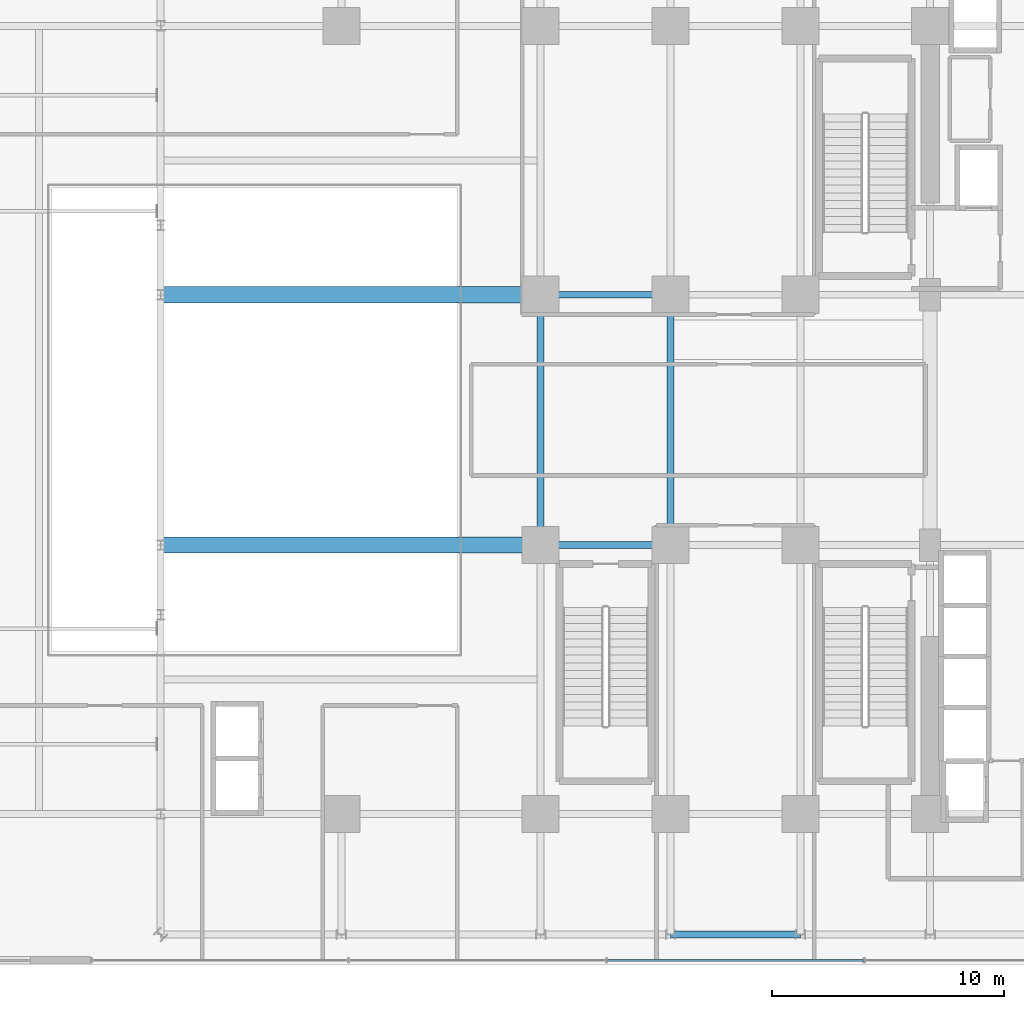
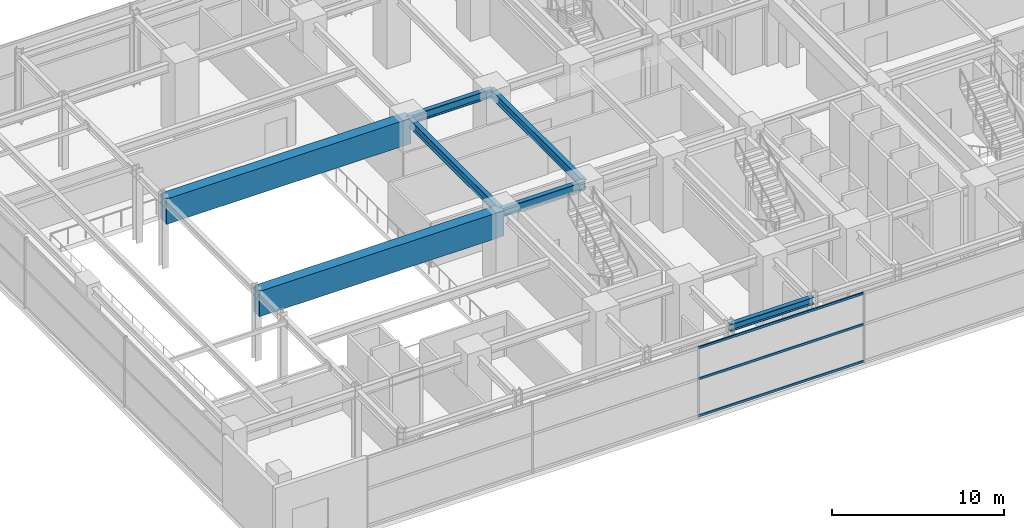
# One storey, part 11 of 35: 7 beams, 3 members, 1 element without a shape of its own.
"""IFC4 building model written with IfcOpenShell, lengths in metres."""

from ifc_helpers import new_model, si_unit, direction, frame, origin, origin_2d, place, context, subcontext, project, spatial, rectangle, hollow_rectangle, i_section, extrude, source, transform, mapped, material, material_profile, profile_set, type_object, element, aggregate, save


model = new_model("IFC4")

# Units and contexts
model_context = context("Model", 3, precision=1e-05, world=origin(), true_north=direction((0.0, 1.0)))
body_context = subcontext(model_context, "Body", "Model", "MODEL_VIEW")
ifc_project = project(units=[si_unit("LENGTHUNIT", "METRE"), si_unit("AREAUNIT", "SQUARE_METRE"), si_unit("VOLUMEUNIT", "CUBIC_METRE"), si_unit("PLANEANGLEUNIT", "RADIAN"), si_unit("MASSUNIT", "GRAM", prefix="KILO")], contexts=[model_context])

# Site, building, storey
site_placement = place(None, origin())
site = spatial("IfcSite", under=ifc_project, at=site_placement, CompositionType="ELEMENT")
building_placement = place(site_placement, origin())
building = spatial("IfcBuilding", under=site, at=building_placement, Name="Nahalor Promenade Grand Hotel", CompositionType="ELEMENT")
storey_placement = place(building_placement, frame((0.0, 0.0, 21.60009765625)))
storey = spatial("IfcBuildingStorey", under=building, at=storey_placement, Name="L04", CompositionType="ELEMENT", Elevation=21.60009765625)

# Beams
ifc_material_1 = material(Name="Steel S355JR", Category="steel")
ifc_material_profile_1 = material_profile(ifc_material_1, i_section(OverallWidth=0.3, OverallDepth=0.6, WebThickness=0.0155, FlangeThickness=0.03, at=origin_2d()), Name="HEB 600")
ifc_profile_set_1 = profile_set([ifc_material_profile_1], Name="Steel S355JR")
beam_type_1 = type_object("IfcBeamType", Name="Beam-Girder-HEB600", PredefinedType="BEAM", material=ifc_profile_set_1)
shared_shape_1 = source(origin(), body_context, "Body", "SweptSolid", [
    extrude(i_section(OverallWidth=0.3, OverallDepth=0.6, WebThickness=0.0155, FlangeThickness=0.03, at=origin_2d()), origin(), (0.0, 0.0, 1.0), 5.599853515625),
])
for number, where, z_axis, x_axis, name in (
    (1, (-8.39990234375, -5.39990234375, 4.679931640625), (1.0, 0.0, 0.0), (0.0, 1.0, 0.0), "BM-L04-GX-1-2"),
    (2, (-8.39990234375, 5.39990234375, 4.679931640625), (1.0, 0.0, 0.0), (0.0, 1.0, 0.0), "BM-L04-GX-2-2"),
):
    element("IfcBeam", number, at=place(storey_placement, frame(where, z_axis=z_axis, x_axis=x_axis)), inside=storey, type_object=beam_type_1, Name=name, PredefinedType="BEAM", context=body_context, shape_type="MappedRepresentation", body=[
        mapped(shared_shape_1, transform((0.0, 0.0, 0.0), scale=1.0)),
    ])
shared_shape_2 = source(origin(), body_context, "Body", "SweptSolid", [
    extrude(i_section(OverallWidth=0.3, OverallDepth=0.6, WebThickness=0.0155, FlangeThickness=0.03, at=origin_2d()), origin(), (0.0, 0.0, 1.0), 10.7998046875),
])
for number, where, z_axis, x_axis, name in (
    (3, (-8.39990234375, -5.39990234375, 4.679931640625), (0.0, 1.0, 0.0), (-1.0, 0.0, 0.0), "BM-L04-GY-1-2"),
    (4, (-2.800048828125, -5.39990234375, 4.679931640625), (0.0, 1.0, 0.0), (-1.0, 0.0, 0.0), "BM-L04-GY-2-2"),
):
    element("IfcBeam", number, at=place(storey_placement, frame(where, z_axis=z_axis, x_axis=x_axis)), inside=storey, type_object=beam_type_1, Name=name, PredefinedType="BEAM", context=body_context, shape_type="MappedRepresentation", body=[
        mapped(shared_shape_2, transform((0.0, 0.0, 0.0), scale=1.0)),
    ])
ifc_material_profile_2 = material_profile(ifc_material_1, i_section(OverallWidth=0.3, OverallDepth=0.5, WebThickness=0.0145, FlangeThickness=0.028, at=origin_2d()), Name="HEB 500")
ifc_profile_set_2 = profile_set([ifc_material_profile_2], Name="Steel S355JR")
beam_type_2 = type_object("IfcBeamType", Name="Beam-Spandrel-HEB500", PredefinedType="SPANDREL", material=ifc_profile_set_2)
shared_shape_3 = source(origin(), body_context, "Body", "SweptSolid", [
    extrude(i_section(OverallWidth=0.3, OverallDepth=0.5, WebThickness=0.0145, FlangeThickness=0.028, at=origin_2d()), origin(), (0.0, 0.0, 1.0), 5.60009765625),
])
beam_placement = place(storey_placement, frame((-2.800048828125, -22.199951171875, 4.72998046875), z_axis=(1.0, 0.0, 0.0), x_axis=(0.0, 1.0, 0.0)))
element("IfcBeam", 5, at=beam_placement, inside=storey, type_object=beam_type_2, Name="BM-L04-SP-S-2", PredefinedType="SPANDREL", context=body_context, shape_type="MappedRepresentation", body=[
    mapped(shared_shape_3, transform((0.0, 0.0, 0.0), scale=1.0)),
])
ifc_material_2 = material(Name="Concrete B-60 (C50/60)", Category="concrete")
ifc_material_profile_3 = material_profile(ifc_material_2, rectangle(XDim=0.7, YDim=1.8, at=origin_2d()), Name="RC 700x1800")
ifc_profile_set_3 = profile_set([ifc_material_profile_3], Name="Concrete B-60 (C50/60)")
beam_type_3 = type_object("IfcBeamType", Name="Beam-Transfer-RC1800", PredefinedType="BEAM", material=ifc_profile_set_3)
shared_shape_4 = source(origin(), body_context, "Body", "SweptSolid", [
    extrude(rectangle(XDim=0.7, YDim=1.8, at=origin_2d()), origin(), (0.0, 0.0, 1.0), 16.400146484375),
])
for number, where, z_axis, x_axis, name in (
    (6, (-24.800048828125, -5.39990234375, 4.079833984375), (1.0, 0.0, 0.0), (0.0, 1.0, 0.0), "BM-L04-TRG-W--5"),
    (7, (-24.800048828125, 5.39990234375, 4.079833984375), (1.0, 0.0, 0.0), (0.0, 1.0, 0.0), "BM-L04-TRG-W-+5"),
):
    element("IfcBeam", number, at=place(storey_placement, frame(where, z_axis=z_axis, x_axis=x_axis)), inside=storey, type_object=beam_type_3, Name=name, PredefinedType="BEAM", context=body_context, shape_type="MappedRepresentation", body=[
        mapped(shared_shape_4, transform((0.0, 0.0, 0.0), scale=1.0)),
    ])

# Curtain wall, members
ifc_material_3 = material(Name="Anodised Bronze Aluminium EN AW-6063 T6", Category="aluminium")
curtain_wall_type = type_object("IfcCurtainWallType", Name="CW1 Waterfront Podium Bronze Arcade Curtain Wall", PredefinedType="USERDEFINED", material=ifc_material_3)
curtain_wall_placement = place(storey_placement, origin())
curtain_wall = element("IfcCurtainWall", 8, at=curtain_wall_placement, inside=storey, type_object=curtain_wall_type, Name="L04 Curtain Wall CW-L04-S", ObjectType="UNITISED_CURTAIN_WALL", PredefinedType="USERDEFINED")
ifc_material_profile_4 = material_profile(ifc_material_3, hollow_rectangle(XDim=0.08, YDim=0.16, WallThickness=0.004, at=origin_2d()), Name="CWT 80x160x4")
ifc_profile_set_4 = profile_set([ifc_material_profile_4], Name="Anodised Bronze Aluminium EN AW-6063 T6")
member_type = type_object("IfcMemberType", Name="CWT1 Podium Bronze Transom 80x160", PredefinedType="USERDEFINED", material=ifc_profile_set_4)
shared_shape_5 = source(origin(), body_context, "Body", "SweptSolid", [
    extrude(hollow_rectangle(XDim=0.08, YDim=0.16, WallThickness=0.004, at=origin_2d()), origin(), (0.0, 0.0, 1.0), 11.0478515625),
])
member_1_placement = place(storey_placement, frame((-5.52392578125, -23.320068359375, 0.079833984375), z_axis=(1.0, 0.0, 0.0), x_axis=(0.0, 1.0, 0.0)))
member_1 = element("IfcMember", 9, at=member_1_placement, type_object=member_type, Name="CW-L04-S Transom 2-0", ObjectType="TRANSOM", PredefinedType="USERDEFINED", context=body_context, shape_type="MappedRepresentation", body=[
    mapped(shared_shape_5, transform((0.0, 0.0, 0.0), scale=1.0)),
])
member_2_placement = place(storey_placement, frame((-5.52392578125, -23.320068359375, 2.699951171875), z_axis=(1.0, 0.0, 0.0), x_axis=(0.0, 1.0, 0.0)))
member_2 = element("IfcMember", 10, at=member_2_placement, type_object=member_type, Name="CW-L04-S Transom 2-1", ObjectType="TRANSOM", PredefinedType="USERDEFINED", context=body_context, shape_type="MappedRepresentation", body=[
    mapped(shared_shape_5, transform((0.0, 0.0, 0.0), scale=1.0)),
])
member_3_placement = place(storey_placement, frame((-5.52392578125, -23.320068359375, 4.89990234375), z_axis=(1.0, 0.0, 0.0), x_axis=(0.0, 1.0, 0.0)))
member_3 = element("IfcMember", 11, at=member_3_placement, type_object=member_type, Name="CW-L04-S Transom 2-2", ObjectType="TRANSOM", PredefinedType="USERDEFINED", context=body_context, shape_type="MappedRepresentation", body=[
    mapped(shared_shape_5, transform((0.0, 0.0, 0.0), scale=1.0)),
])
aggregate(curtain_wall, [member_1, member_2, member_3])

save(model, "model.ifc")
